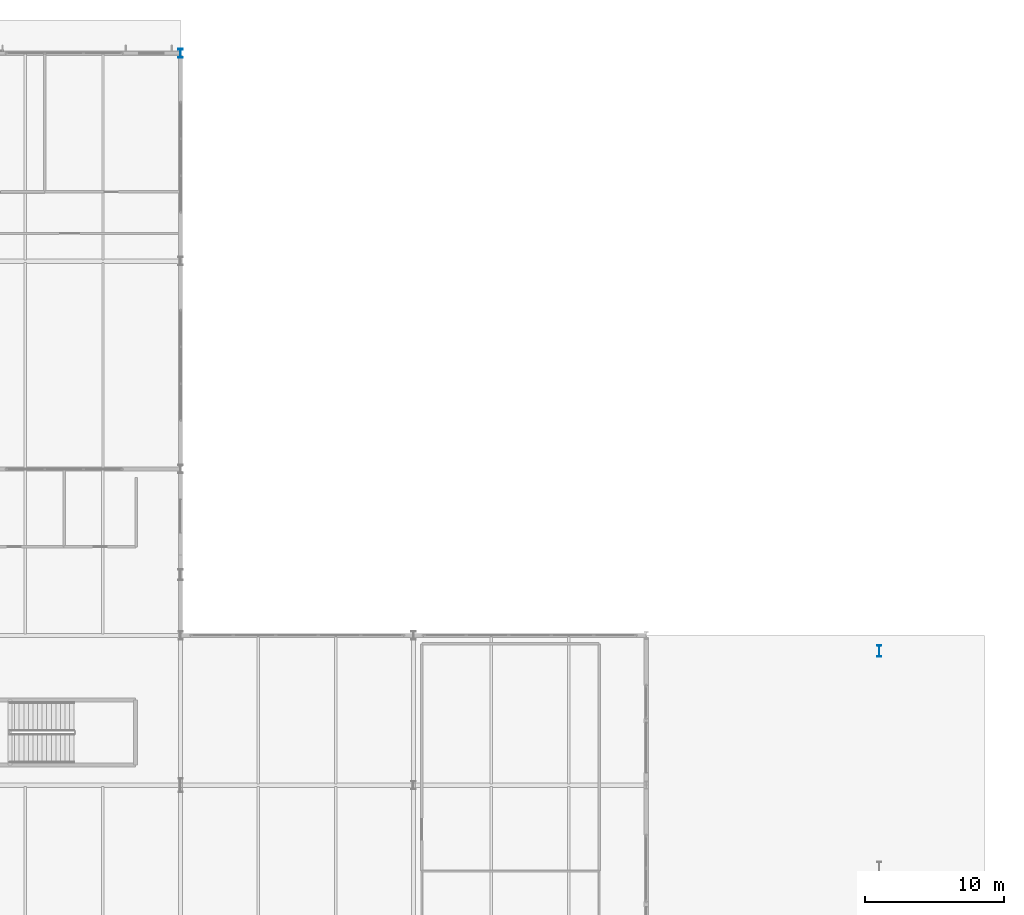
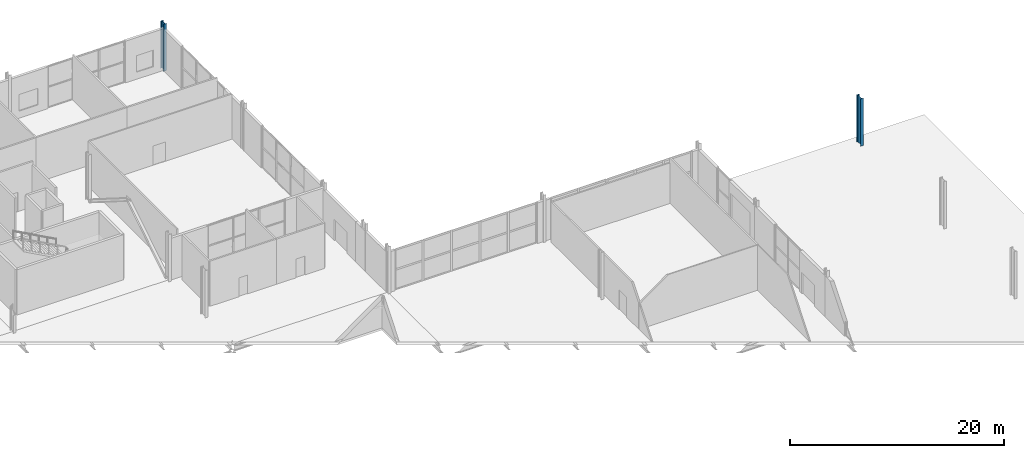
# One storey, part 18 of 87: 2 columns.
"""IFC4 building model written with IfcOpenShell, lengths in metres."""

from ifc_helpers import new_model, si_unit, direction, frame, origin, origin_2d, place, context, subcontext, project, spatial, i_section, extrude, material, material_profile, profile_set, type_object, element, save


model = new_model("IFC4")

# Units and contexts
model_context = context("Model", 3, precision=1e-05, world=origin(), true_north=direction((0.0, 1.0)))
body_context = subcontext(model_context, "Body", "Model", "MODEL_VIEW")
ifc_project = project(units=[si_unit("LENGTHUNIT", "METRE"), si_unit("AREAUNIT", "SQUARE_METRE"), si_unit("VOLUMEUNIT", "CUBIC_METRE"), si_unit("PLANEANGLEUNIT", "RADIAN"), si_unit("MASSUNIT", "GRAM", prefix="KILO")], contexts=[model_context])

# Site, building, storey
site_placement = place(None, origin())
site = spatial("IfcSite", under=ifc_project, at=site_placement, CompositionType="ELEMENT")
building_placement = place(site_placement, origin())
building = spatial("IfcBuilding", under=site, at=building_placement, Name="Kimbaza Rail Terminus", CompositionType="ELEMENT")
storey_placement = place(building_placement, origin())
storey = spatial("IfcBuildingStorey", under=building, at=storey_placement, Name="L00", CompositionType="ELEMENT", Elevation=0.0)

# Columns
ifc_material_1 = material(Name="Steel S355", Category="steel")
ifc_material_profile_1 = material_profile(ifc_material_1, i_section(OverallWidth=0.304931640625, OverallDepth=0.6201171875, WebThickness=0.02099609375, FlangeThickness=0.0400390625, FilletRadius=0.027099609375, at=origin_2d()), Name="HEM 600")
ifc_profile_set_1 = profile_set([ifc_material_profile_1], Name="Steel S355")
column_type_1 = type_object("IfcColumnType", Name="STR-COL-HEM600", PredefinedType="COLUMN", material=ifc_profile_set_1)
column_1_placement = place(storey_placement, frame((156.0, 133.0, 0.0), z_axis=(0.0, 0.0, 1.0), x_axis=(1.0, 0.0, 0.0)))
element("IfcColumn", 1, at=column_1_placement, inside=storey, type_object=column_type_1, Name="Operations Column L00 (6,2)", PredefinedType="COLUMN", context=body_context, shape_type="SweptSolid", body=[
    extrude(i_section(OverallWidth=0.304931640625, OverallDepth=0.6201171875, WebThickness=0.02099609375, FlangeThickness=0.0400390625, FilletRadius=0.027099609375, at=origin_2d()), origin(), (0.0, 0.0, 1.0), 5.39990234375),
])
ifc_material_2 = material(Name="Steel S355", Category="steel")
ifc_material_profile_2 = material_profile(ifc_material_2, i_section(OverallWidth=0.302978515625, OverallDepth=0.81396484375, WebThickness=0.02099609375, FlangeThickness=0.0400390625, FilletRadius=0.030029296875, at=origin_2d()), Name="HEM 800")
ifc_profile_set_2 = profile_set([ifc_material_profile_2], Name="Steel S355")
column_type_2 = type_object("IfcColumnType", Name="STR-COL-HEM800", PredefinedType="COLUMN", material=ifc_profile_set_2)
column_2_placement = place(storey_placement, frame((206.39990234375, 89.8759765625, 0.0), z_axis=(0.0, 0.0, 1.0), x_axis=(1.0, 0.0, 0.0)))
element("IfcColumn", 2, at=column_2_placement, inside=storey, type_object=column_type_2, Name="Viaduct Pier Column L00 VP-12", PredefinedType="COLUMN", context=body_context, shape_type="SweptSolid", body=[
    extrude(i_section(OverallWidth=0.302978515625, OverallDepth=0.81396484375, WebThickness=0.02099609375, FlangeThickness=0.0400390625, FilletRadius=0.030029296875, at=origin_2d()), origin(), (0.0, 0.0, 1.0), 5.39990234375),
])

save(model, "model.ifc")
